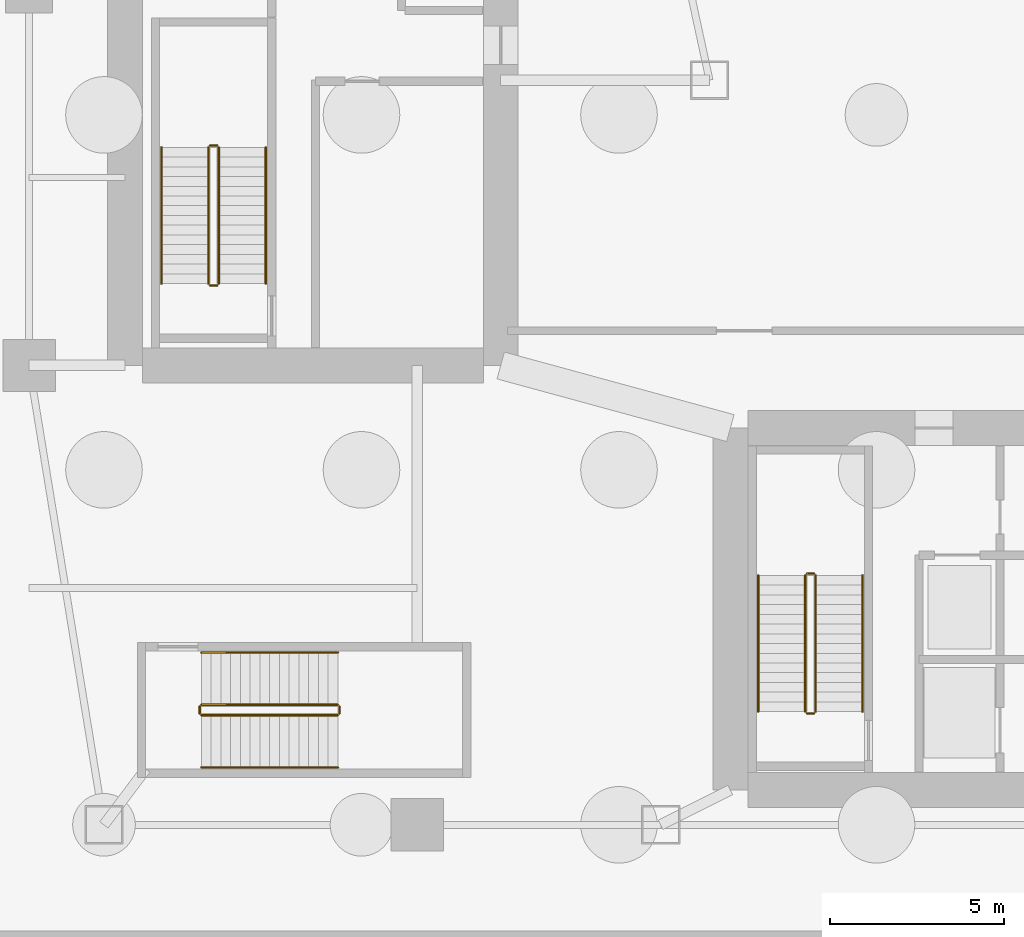
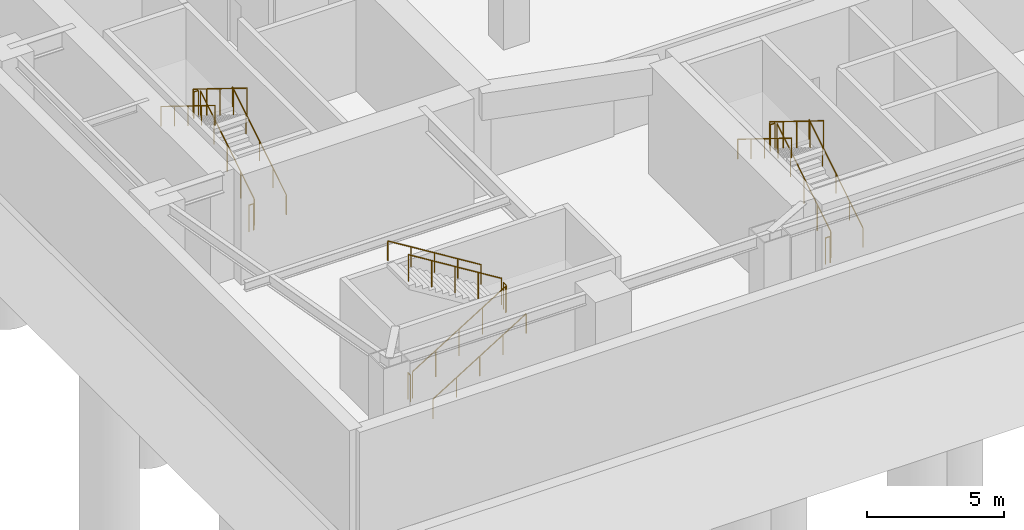
# One storey, part 10 of 12: 18 railings.
"""IFC4 building model written with IfcOpenShell, lengths in metres."""

from ifc_helpers import new_model, si_unit, direction, frame, origin, origin_2d, place, context, subcontext, project, spatial, circle, extrude, material, type_object, element, save


model = new_model("IFC4")

# Units and contexts
model_context = context("Model", 3, precision=1e-05, world=origin(), true_north=direction((0.0, 1.0)))
body_context = subcontext(model_context, "Body", "Model", "MODEL_VIEW")
ifc_project = project(units=[si_unit("LENGTHUNIT", "METRE"), si_unit("AREAUNIT", "SQUARE_METRE"), si_unit("VOLUMEUNIT", "CUBIC_METRE"), si_unit("PLANEANGLEUNIT", "RADIAN"), si_unit("MASSUNIT", "GRAM", prefix="KILO")], contexts=[model_context])

# Site, building, storey
site_placement = place(None, origin())
site = spatial("IfcSite", under=ifc_project, at=site_placement, CompositionType="ELEMENT")
building_placement = place(site_placement, origin())
building = spatial("IfcBuilding", under=site, at=building_placement, Name="Calvorn Quay Hotel", CompositionType="ELEMENT")
storey_placement = place(building_placement, frame((0.0, 0.0, -10.39990234375)))
storey = spatial("IfcBuildingStorey", under=building, at=storey_placement, Name="B2", CompositionType="ELEMENT", Elevation=-10.39990234375)

# Railings
ifc_material_1 = material(Name="Brushed Stainless Steel Handrail", Category="steel")
railing_type_1 = type_object("IfcRailingType", Name="RLG-HANDRAIL-900", PredefinedType="HANDRAIL", material=ifc_material_1)
railing_1_placement = place(storey_placement, frame((8.25, 19.14990234375, 0.17333984375)))
element("IfcRailing", 1, at=railing_1_placement, inside=storey, type_object=railing_type_1, Name="B2 ST-W stair handrail 1", PredefinedType="HANDRAIL", context=body_context, shape_type="SweptSolid", body=[
    extrude(circle(Radius=0.02392578125, at=origin_2d()), frame((0.0, 0.0, 0.8759765625), z_axis=(0.0, 0.850289973577, 0.526314507528), x_axis=(-1.0, 0.0, 0.0)), (0.0, 0.0, 1.0), 4.6103515625),
    extrude(circle(Radius=0.02099609375, at=origin_2d()), origin(), (0.0, 0.0, 1.0), 0.851806640625),
    extrude(circle(Radius=0.02099609375, at=origin_2d()), frame((0.0, 0.97998046875, 0.606689453125)), (0.0, 0.0, 1.0), 0.851806640625),
    extrude(circle(Radius=0.02099609375, at=origin_2d()), frame((0.0, 1.9599609375, 1.21337890625)), (0.0, 0.0, 1.0), 0.851806640625),
    extrude(circle(Radius=0.02099609375, at=origin_2d()), frame((0.0, 2.940185546875, 1.81982421875)), (0.0, 0.0, 1.0), 0.851806640625),
    extrude(circle(Radius=0.02099609375, at=origin_2d()), frame((0.0, 3.920166015625, 2.426513671875)), (0.0, 0.0, 1.0), 0.851806640625),
])
railing_2_placement = place(storey_placement, frame((5.25, 23.070068359375, 2.773193359375)))
element("IfcRailing", 2, at=railing_2_placement, inside=storey, type_object=railing_type_1, Name="B2 ST-W stair handrail 2", PredefinedType="HANDRAIL", context=body_context, shape_type="SweptSolid", body=[
    extrude(circle(Radius=0.02392578125, at=origin_2d()), frame((0.0, 0.0, 0.8759765625), z_axis=(0.0, -0.850266275192, 0.526352791643), x_axis=(1.0, 0.0, 0.0)), (0.0, 0.0, 1.0), 4.610595703125),
    extrude(circle(Radius=0.02099609375, at=origin_2d()), origin(), (0.0, 0.0, 1.0), 0.851806640625),
    extrude(circle(Radius=0.02099609375, at=origin_2d()), frame((0.0, -0.97998046875, 0.606689453125)), (0.0, 0.0, 1.0), 0.851806640625),
    extrude(circle(Radius=0.02099609375, at=origin_2d()), frame((0.0, -1.9599609375, 1.21337890625)), (0.0, 0.0, 1.0), 0.851806640625),
    extrude(circle(Radius=0.02099609375, at=origin_2d()), frame((0.0, -2.940185546875, 1.820068359375)), (0.0, 0.0, 1.0), 0.851806640625),
    extrude(circle(Radius=0.02099609375, at=origin_2d()), frame((0.0, -3.920166015625, 2.4267578125)), (0.0, 0.0, 1.0), 0.851806640625),
])
railing_3_placement = place(storey_placement, frame((25.39990234375, 6.85009765625, 0.17333984375)))
element("IfcRailing", 3, at=railing_3_placement, inside=storey, type_object=railing_type_1, Name="B2 ST-E stair handrail 1", PredefinedType="HANDRAIL", context=body_context, shape_type="SweptSolid", body=[
    extrude(circle(Radius=0.02392578125, at=origin_2d()), frame((0.0, 0.0, 0.8759765625), z_axis=(0.0, 0.850275303828, 0.526338206574), x_axis=(-1.0, 0.0, 0.0)), (0.0, 0.0, 1.0), 4.610107421875),
    extrude(circle(Radius=0.02099609375, at=origin_2d()), origin(), (0.0, 0.0, 1.0), 0.851806640625),
    extrude(circle(Radius=0.02099609375, at=origin_2d()), frame((0.0, 0.97998046875, 0.606689453125)), (0.0, 0.0, 1.0), 0.851806640625),
    extrude(circle(Radius=0.02099609375, at=origin_2d()), frame((0.0, 1.9599609375, 1.21337890625)), (0.0, 0.0, 1.0), 0.851806640625),
    extrude(circle(Radius=0.02099609375, at=origin_2d()), frame((0.0, 2.93994140625, 1.81982421875)), (0.0, 0.0, 1.0), 0.851806640625),
    extrude(circle(Radius=0.02099609375, at=origin_2d()), frame((0.0, 3.919921875, 2.426513671875)), (0.0, 0.0, 1.0), 0.851806640625),
])
railing_4_placement = place(storey_placement, frame((22.39990234375, 10.77001953125, 2.773193359375)))
element("IfcRailing", 4, at=railing_4_placement, inside=storey, type_object=railing_type_1, Name="B2 ST-E stair handrail 2", PredefinedType="HANDRAIL", context=body_context, shape_type="SweptSolid", body=[
    extrude(circle(Radius=0.02392578125, at=origin_2d()), frame((0.0, 0.0, 0.8759765625), z_axis=(0.0, -0.850251603719, 0.526376491091), x_axis=(1.0, 0.0, 0.0)), (0.0, 0.0, 1.0), 4.6103515625),
    extrude(circle(Radius=0.02099609375, at=origin_2d()), origin(), (0.0, 0.0, 1.0), 0.851806640625),
    extrude(circle(Radius=0.02099609375, at=origin_2d()), frame((0.0, -0.97998046875, 0.606689453125)), (0.0, 0.0, 1.0), 0.851806640625),
    extrude(circle(Radius=0.02099609375, at=origin_2d()), frame((0.0, -1.9599609375, 1.21337890625)), (0.0, 0.0, 1.0), 0.851806640625),
    extrude(circle(Radius=0.02099609375, at=origin_2d()), frame((0.0, -2.93994140625, 1.820068359375)), (0.0, 0.0, 1.0), 0.851806640625),
    extrude(circle(Radius=0.02099609375, at=origin_2d()), frame((0.0, -3.919921875, 2.4267578125)), (0.0, 0.0, 1.0), 0.851806640625),
])
railing_5_placement = place(storey_placement, frame((6.39990234375, 5.25, 0.17333984375)))
element("IfcRailing", 5, at=railing_5_placement, inside=storey, type_object=railing_type_1, Name="B2 ST-P2 stair handrail 1", PredefinedType="HANDRAIL", context=body_context, shape_type="SweptSolid", body=[
    extrude(circle(Radius=0.02392578125, at=origin_2d()), frame((0.0, 0.0, 0.8759765625), z_axis=(0.850289973577, 0.0, 0.526314507528), x_axis=(0.0, 1.0, 0.0)), (0.0, 0.0, 1.0), 4.6103515625),
    extrude(circle(Radius=0.02099609375, at=origin_2d()), origin(), (0.0, 0.0, 1.0), 0.851806640625),
    extrude(circle(Radius=0.02099609375, at=origin_2d()), frame((0.97998046875, 0.0, 0.606689453125)), (0.0, 0.0, 1.0), 0.851806640625),
    extrude(circle(Radius=0.02099609375, at=origin_2d()), frame((1.9599609375, 0.0, 1.21337890625)), (0.0, 0.0, 1.0), 0.851806640625),
    extrude(circle(Radius=0.02099609375, at=origin_2d()), frame((2.940185546875, 0.0, 1.81982421875)), (0.0, 0.0, 1.0), 0.851806640625),
    extrude(circle(Radius=0.02099609375, at=origin_2d()), frame((3.920166015625, 0.0, 2.426513671875)), (0.0, 0.0, 1.0), 0.851806640625),
])
railing_6_placement = place(storey_placement, frame((10.320068359375, 8.550048828125, 2.773193359375)))
element("IfcRailing", 6, at=railing_6_placement, inside=storey, type_object=railing_type_1, Name="B2 ST-P2 stair handrail 2", PredefinedType="HANDRAIL", context=body_context, shape_type="SweptSolid", body=[
    extrude(circle(Radius=0.02392578125, at=origin_2d()), frame((0.0, 0.0, 0.8759765625), z_axis=(-0.850266275192, 0.0, 0.526352791643), x_axis=(0.0, -1.0, 0.0)), (0.0, 0.0, 1.0), 4.610595703125),
    extrude(circle(Radius=0.02099609375, at=origin_2d()), origin(), (0.0, 0.0, 1.0), 0.851806640625),
    extrude(circle(Radius=0.02099609375, at=origin_2d()), frame((-0.97998046875, 0.0, 0.606689453125)), (0.0, 0.0, 1.0), 0.851806640625),
    extrude(circle(Radius=0.02099609375, at=origin_2d()), frame((-1.9599609375, 0.0, 1.21337890625)), (0.0, 0.0, 1.0), 0.851806640625),
    extrude(circle(Radius=0.02099609375, at=origin_2d()), frame((-2.940185546875, 0.0, 1.820068359375)), (0.0, 0.0, 1.0), 0.851806640625),
    extrude(circle(Radius=0.02099609375, at=origin_2d()), frame((-3.920166015625, 0.0, 2.4267578125)), (0.0, 0.0, 1.0), 0.851806640625),
])
ifc_material_2 = material(Name="Painted Galvanised Steel Balustrade", Category="steel")
railing_type_2 = type_object("IfcRailingType", Name="RLG-STAIR-GUARD-1120", PredefinedType="GUARDRAIL", material=ifc_material_2)
railing_7_placement = place(storey_placement, frame((6.89990234375, 19.14990234375, 0.17333984375)))
element("IfcRailing", 7, at=railing_7_placement, inside=storey, type_object=railing_type_2, Name="B2 ST-W stair guard 1", PredefinedType="GUARDRAIL", context=body_context, shape_type="SweptSolid", body=[
    extrude(circle(Radius=0.02392578125, at=origin_2d()), frame((0.0, 0.0, 1.17578125), z_axis=(0.0, 0.850289973577, 0.526314507528), x_axis=(-1.0, 0.0, 0.0)), (0.0, 0.0, 1.0), 4.6103515625),
    extrude(circle(Radius=0.02099609375, at=origin_2d()), origin(), (0.0, 0.0, 1.0), 1.15185546875),
    extrude(circle(Radius=0.02099609375, at=origin_2d()), frame((0.0, 0.97998046875, 0.606689453125)), (0.0, 0.0, 1.0), 1.15185546875),
    extrude(circle(Radius=0.02099609375, at=origin_2d()), frame((0.0, 1.9599609375, 1.21337890625)), (0.0, 0.0, 1.0), 1.15185546875),
    extrude(circle(Radius=0.02099609375, at=origin_2d()), frame((0.0, 2.940185546875, 1.81982421875)), (0.0, 0.0, 1.0), 1.15185546875),
    extrude(circle(Radius=0.02099609375, at=origin_2d()), frame((0.0, 3.920166015625, 2.426513671875)), (0.0, 0.0, 1.0), 1.15185546875),
])
railing_8_placement = place(storey_placement, frame((6.85009765625, 23.1201171875, 2.599853515625)))
element("IfcRailing", 8, at=railing_8_placement, inside=storey, type_object=railing_type_2, Name="B2 ST-W stair guard 2", PredefinedType="GUARDRAIL", context=body_context, shape_type="SweptSolid", body=[
    extrude(circle(Radius=0.02392578125, at=origin_2d()), frame((0.0, 0.0, 1.17578125), z_axis=(-1.0, 0.0, 0.0), x_axis=(0.0, -1.0, 0.0)), (0.0, 0.0, 1.0), 0.2001953125),
    extrude(circle(Radius=0.02099609375, at=origin_2d()), origin(), (0.0, 0.0, 1.0), 1.15185546875),
    extrude(circle(Radius=0.02099609375, at=origin_2d()), frame((-0.2001953125, 0.0, 0.0)), (0.0, 0.0, 1.0), 1.15185546875),
])
railing_9_placement = place(storey_placement, frame((6.60009765625, 23.070068359375, 2.773193359375)))
element("IfcRailing", 9, at=railing_9_placement, inside=storey, type_object=railing_type_2, Name="B2 ST-W stair guard 3", PredefinedType="GUARDRAIL", context=body_context, shape_type="SweptSolid", body=[
    extrude(circle(Radius=0.02392578125, at=origin_2d()), frame((0.0, 0.0, 1.17578125), z_axis=(0.0, -0.850266275192, 0.526352791643), x_axis=(1.0, 0.0, 0.0)), (0.0, 0.0, 1.0), 4.610595703125),
    extrude(circle(Radius=0.02099609375, at=origin_2d()), origin(), (0.0, 0.0, 1.0), 1.15185546875),
    extrude(circle(Radius=0.02099609375, at=origin_2d()), frame((0.0, -0.97998046875, 0.606689453125)), (0.0, 0.0, 1.0), 1.15185546875),
    extrude(circle(Radius=0.02099609375, at=origin_2d()), frame((0.0, -1.9599609375, 1.21337890625)), (0.0, 0.0, 1.0), 1.15185546875),
    extrude(circle(Radius=0.02099609375, at=origin_2d()), frame((0.0, -2.940185546875, 1.820068359375)), (0.0, 0.0, 1.0), 1.15185546875),
    extrude(circle(Radius=0.02099609375, at=origin_2d()), frame((0.0, -3.920166015625, 2.4267578125)), (0.0, 0.0, 1.0), 1.15185546875),
])
railing_10_placement = place(storey_placement, frame((6.85009765625, 19.10009765625, 0.0)))
element("IfcRailing", 10, at=railing_10_placement, inside=storey, type_object=railing_type_2, Name="B2 ST-W stair guard 4", PredefinedType="GUARDRAIL", context=body_context, shape_type="SweptSolid", body=[
    extrude(circle(Radius=0.02392578125, at=origin_2d()), frame((0.0, 0.0, 1.17578125), z_axis=(-1.0, 0.0, 0.0), x_axis=(0.0, -1.0, 0.0)), (0.0, 0.0, 1.0), 0.2001953125),
    extrude(circle(Radius=0.02099609375, at=origin_2d()), origin(), (0.0, 0.0, 1.0), 1.15185546875),
    extrude(circle(Radius=0.02099609375, at=origin_2d()), frame((-0.2001953125, 0.0, 0.0)), (0.0, 0.0, 1.0), 1.15185546875),
])
railing_11_placement = place(storey_placement, frame((24.050048828125, 6.85009765625, 0.17333984375)))
element("IfcRailing", 11, at=railing_11_placement, inside=storey, type_object=railing_type_2, Name="B2 ST-E stair guard 1", PredefinedType="GUARDRAIL", context=body_context, shape_type="SweptSolid", body=[
    extrude(circle(Radius=0.02392578125, at=origin_2d()), frame((0.0, 0.0, 1.17578125), z_axis=(0.0, 0.850275303828, 0.526338206574), x_axis=(-1.0, 0.0, 0.0)), (0.0, 0.0, 1.0), 4.610107421875),
    extrude(circle(Radius=0.02099609375, at=origin_2d()), origin(), (0.0, 0.0, 1.0), 1.15185546875),
    extrude(circle(Radius=0.02099609375, at=origin_2d()), frame((0.0, 0.97998046875, 0.606689453125)), (0.0, 0.0, 1.0), 1.15185546875),
    extrude(circle(Radius=0.02099609375, at=origin_2d()), frame((0.0, 1.9599609375, 1.21337890625)), (0.0, 0.0, 1.0), 1.15185546875),
    extrude(circle(Radius=0.02099609375, at=origin_2d()), frame((0.0, 2.93994140625, 1.81982421875)), (0.0, 0.0, 1.0), 1.15185546875),
    extrude(circle(Radius=0.02099609375, at=origin_2d()), frame((0.0, 3.919921875, 2.426513671875)), (0.0, 0.0, 1.0), 1.15185546875),
])
railing_12_placement = place(storey_placement, frame((24.0, 10.820068359375, 2.599853515625)))
element("IfcRailing", 12, at=railing_12_placement, inside=storey, type_object=railing_type_2, Name="B2 ST-E stair guard 2", PredefinedType="GUARDRAIL", context=body_context, shape_type="SweptSolid", body=[
    extrude(circle(Radius=0.02392578125, at=origin_2d()), frame((0.0, 0.0, 1.17578125), z_axis=(-1.0, 0.0, 0.0), x_axis=(0.0, -1.0, 0.0)), (0.0, 0.0, 1.0), 0.199951171875),
    extrude(circle(Radius=0.02099609375, at=origin_2d()), origin(), (0.0, 0.0, 1.0), 1.15185546875),
    extrude(circle(Radius=0.02099609375, at=origin_2d()), frame((-0.199951171875, 0.0, 0.0)), (0.0, 0.0, 1.0), 1.15185546875),
])
railing_13_placement = place(storey_placement, frame((23.75, 10.77001953125, 2.773193359375)))
element("IfcRailing", 13, at=railing_13_placement, inside=storey, type_object=railing_type_2, Name="B2 ST-E stair guard 3", PredefinedType="GUARDRAIL", context=body_context, shape_type="SweptSolid", body=[
    extrude(circle(Radius=0.02392578125, at=origin_2d()), frame((0.0, 0.0, 1.17578125), z_axis=(0.0, -0.850251603719, 0.526376491091), x_axis=(1.0, 0.0, 0.0)), (0.0, 0.0, 1.0), 4.6103515625),
    extrude(circle(Radius=0.02099609375, at=origin_2d()), origin(), (0.0, 0.0, 1.0), 1.15185546875),
    extrude(circle(Radius=0.02099609375, at=origin_2d()), frame((0.0, -0.97998046875, 0.606689453125)), (0.0, 0.0, 1.0), 1.15185546875),
    extrude(circle(Radius=0.02099609375, at=origin_2d()), frame((0.0, -1.9599609375, 1.21337890625)), (0.0, 0.0, 1.0), 1.15185546875),
    extrude(circle(Radius=0.02099609375, at=origin_2d()), frame((0.0, -2.93994140625, 1.820068359375)), (0.0, 0.0, 1.0), 1.15185546875),
    extrude(circle(Radius=0.02099609375, at=origin_2d()), frame((0.0, -3.919921875, 2.4267578125)), (0.0, 0.0, 1.0), 1.15185546875),
])
railing_14_placement = place(storey_placement, frame((24.0, 6.800048828125, 0.0)))
element("IfcRailing", 14, at=railing_14_placement, inside=storey, type_object=railing_type_2, Name="B2 ST-E stair guard 4", PredefinedType="GUARDRAIL", context=body_context, shape_type="SweptSolid", body=[
    extrude(circle(Radius=0.02392578125, at=origin_2d()), frame((0.0, 0.0, 1.17578125), z_axis=(-1.0, 0.0, 0.0), x_axis=(0.0, -1.0, 0.0)), (0.0, 0.0, 1.0), 0.199951171875),
    extrude(circle(Radius=0.02099609375, at=origin_2d()), origin(), (0.0, 0.0, 1.0), 1.15185546875),
    extrude(circle(Radius=0.02099609375, at=origin_2d()), frame((-0.199951171875, 0.0, 0.0)), (0.0, 0.0, 1.0), 1.15185546875),
])
railing_15_placement = place(storey_placement, frame((6.39990234375, 6.75, 0.17333984375)))
element("IfcRailing", 15, at=railing_15_placement, inside=storey, type_object=railing_type_2, Name="B2 ST-P2 stair guard 1", PredefinedType="GUARDRAIL", context=body_context, shape_type="SweptSolid", body=[
    extrude(circle(Radius=0.02392578125, at=origin_2d()), frame((0.0, 0.0, 1.17578125), z_axis=(0.850289973577, 0.0, 0.526314507528), x_axis=(0.0, 1.0, 0.0)), (0.0, 0.0, 1.0), 4.6103515625),
    extrude(circle(Radius=0.02099609375, at=origin_2d()), origin(), (0.0, 0.0, 1.0), 1.15185546875),
    extrude(circle(Radius=0.02099609375, at=origin_2d()), frame((0.97998046875, 0.0, 0.606689453125)), (0.0, 0.0, 1.0), 1.15185546875),
    extrude(circle(Radius=0.02099609375, at=origin_2d()), frame((1.9599609375, 0.0, 1.21337890625)), (0.0, 0.0, 1.0), 1.15185546875),
    extrude(circle(Radius=0.02099609375, at=origin_2d()), frame((2.940185546875, 0.0, 1.81982421875)), (0.0, 0.0, 1.0), 1.15185546875),
    extrude(circle(Radius=0.02099609375, at=origin_2d()), frame((3.920166015625, 0.0, 2.426513671875)), (0.0, 0.0, 1.0), 1.15185546875),
])
railing_16_placement = place(storey_placement, frame((10.3701171875, 6.800048828125, 2.599853515625)))
element("IfcRailing", 16, at=railing_16_placement, inside=storey, type_object=railing_type_2, Name="B2 ST-P2 stair guard 2", PredefinedType="GUARDRAIL", context=body_context, shape_type="SweptSolid", body=[
    extrude(circle(Radius=0.02392578125, at=origin_2d()), frame((0.0, 0.0, 1.17578125), z_axis=(0.0, 1.0, 0.0), x_axis=(-1.0, 0.0, 0.0)), (0.0, 0.0, 1.0), 0.199951171875),
    extrude(circle(Radius=0.02099609375, at=origin_2d()), origin(), (0.0, 0.0, 1.0), 1.15185546875),
    extrude(circle(Radius=0.02099609375, at=origin_2d()), frame((0.0, 0.199951171875, 0.0)), (0.0, 0.0, 1.0), 1.15185546875),
])
railing_17_placement = place(storey_placement, frame((10.320068359375, 7.050048828125, 2.773193359375)))
element("IfcRailing", 17, at=railing_17_placement, inside=storey, type_object=railing_type_2, Name="B2 ST-P2 stair guard 3", PredefinedType="GUARDRAIL", context=body_context, shape_type="SweptSolid", body=[
    extrude(circle(Radius=0.02392578125, at=origin_2d()), frame((0.0, 0.0, 1.17578125), z_axis=(-0.850266275192, 0.0, 0.526352791643), x_axis=(0.0, -1.0, 0.0)), (0.0, 0.0, 1.0), 4.610595703125),
    extrude(circle(Radius=0.02099609375, at=origin_2d()), origin(), (0.0, 0.0, 1.0), 1.15185546875),
    extrude(circle(Radius=0.02099609375, at=origin_2d()), frame((-0.97998046875, 0.0, 0.606689453125)), (0.0, 0.0, 1.0), 1.15185546875),
    extrude(circle(Radius=0.02099609375, at=origin_2d()), frame((-1.9599609375, 0.0, 1.21337890625)), (0.0, 0.0, 1.0), 1.15185546875),
    extrude(circle(Radius=0.02099609375, at=origin_2d()), frame((-2.940185546875, 0.0, 1.820068359375)), (0.0, 0.0, 1.0), 1.15185546875),
    extrude(circle(Radius=0.02099609375, at=origin_2d()), frame((-3.920166015625, 0.0, 2.4267578125)), (0.0, 0.0, 1.0), 1.15185546875),
])
railing_18_placement = place(storey_placement, frame((6.35009765625, 6.800048828125, 0.0)))
element("IfcRailing", 18, at=railing_18_placement, inside=storey, type_object=railing_type_2, Name="B2 ST-P2 stair guard 4", PredefinedType="GUARDRAIL", context=body_context, shape_type="SweptSolid", body=[
    extrude(circle(Radius=0.02392578125, at=origin_2d()), frame((0.0, 0.0, 1.17578125), z_axis=(0.0, 1.0, 0.0), x_axis=(-1.0, 0.0, 0.0)), (0.0, 0.0, 1.0), 0.199951171875),
    extrude(circle(Radius=0.02099609375, at=origin_2d()), origin(), (0.0, 0.0, 1.0), 1.15185546875),
    extrude(circle(Radius=0.02099609375, at=origin_2d()), frame((0.0, 0.199951171875, 0.0)), (0.0, 0.0, 1.0), 1.15185546875),
])

save(model, "model.ifc")
